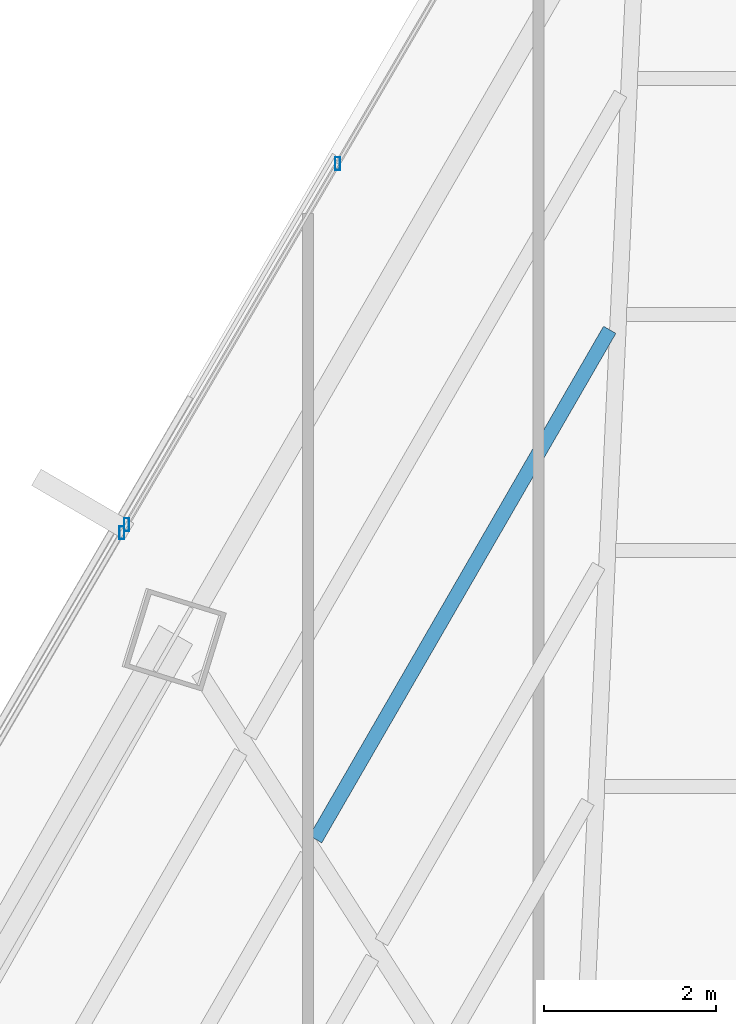
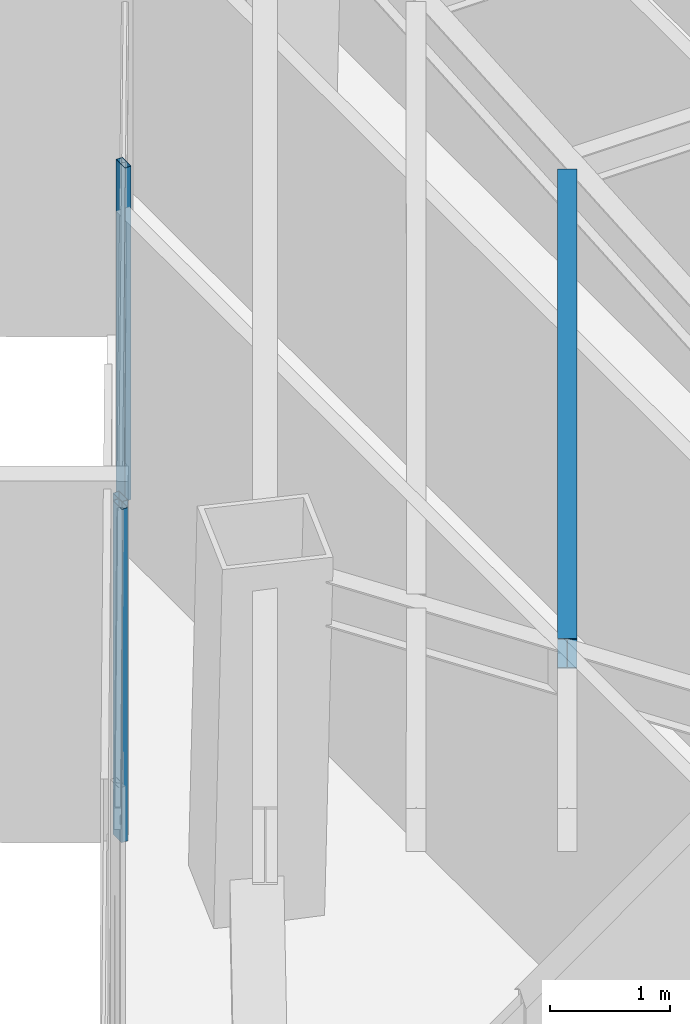
# One storey, part 26 of 42: 3 members, 1 beam, 2 elements without a shape of their own.
"""IFC4 building model written with IfcOpenShell, lengths in metres."""

from ifc_helpers import new_model, si_unit, direction, frame, origin, origin_2d, place, context, subcontext, project, spatial, hollow_rectangle, i_section, extrude, source, transform, mapped, material, material_profile, profile_set, type_object, type_shapes, element, aggregate, save


model = new_model("IFC4")

# Units and contexts
model_context = context("Model", 3, precision=1e-05, world=origin(), true_north=direction((0.0, 1.0)))
body_context = subcontext(model_context, "Body", "Model", "MODEL_VIEW")
ifc_project = project(units=[si_unit("LENGTHUNIT", "METRE"), si_unit("AREAUNIT", "SQUARE_METRE"), si_unit("VOLUMEUNIT", "CUBIC_METRE"), si_unit("PLANEANGLEUNIT", "RADIAN"), si_unit("MASSUNIT", "GRAM", prefix="KILO")], contexts=[model_context])

# Site, building, storey
site_placement = place(None, origin())
site = spatial("IfcSite", under=ifc_project, at=site_placement, CompositionType="ELEMENT")
building_placement = place(site_placement, origin())
building = spatial("IfcBuilding", under=site, at=building_placement, Name="Caelisora Broadcast Tower", CompositionType="ELEMENT")
storey_placement = place(building_placement, frame((0.0, 0.0, 131.800048828125)))
storey = spatial("IfcBuildingStorey", under=building, at=storey_placement, Name="L34", CompositionType="ELEMENT", Elevation=131.800048828125)

# Beam
ifc_material_1 = material(Name="Steel Grade 350 (AS/NZS 3679.1)", Category="steel")
ifc_material_profile_1 = material_profile(ifc_material_1, i_section(OverallWidth=0.166015625, OverallDepth=0.30712890625, WebThickness=0.006591796875, FlangeThickness=0.01171875, at=origin_2d()), Name="Steel Grade 350 (AS/NZS 3679.1)")
ifc_profile_set_1 = profile_set([ifc_material_profile_1], Name="Steel Grade 350 (AS/NZS 3679.1)")
beam_type = type_object("IfcBeamType", Name="SB03", PredefinedType="JOIST", material=ifc_profile_set_1)
shared_shape_1 = source(origin(), body_context, "Body", "SweptSolid", [
    extrude(i_section(OverallWidth=0.166015625, OverallDepth=0.30712890625, WebThickness=0.006591796875, FlangeThickness=0.01171875, at=origin_2d()), origin(), (0.0, 0.0, 1.0), 6.83935546875),
])
type_shapes(beam_type, [shared_shape_1])
beam_placement = place(storey_placement, frame((30.907470703125, 40.797119140625, 3.246337890625), z_axis=(-0.499997459831, -0.866026870347, 0.0), x_axis=(0.866026870347, -0.499997459831, 0.0)))
element("IfcBeam", 1, at=beam_placement, inside=storey, type_object=beam_type, Name="L34 beam SB03", PredefinedType="JOIST", context=body_context, shape_type="MappedRepresentation", body=[
    mapped(shared_shape_1, transform((0.0, 0.0, 0.0), scale=1.0)),
])

# Curtain wall, member
ifc_material_2 = material(Name="Unitised Aluminium Insulated Shadow-Box Spandrel Curtain Wall", Category="aluminium")
curtain_wall_type_1 = type_object("IfcCurtainWallType", Name="CW-SP2", PredefinedType="NOTDEFINED", material=ifc_material_2)
curtain_wall_1_placement = place(storey_placement, origin())
curtain_wall_1 = element("IfcCurtainWall", 2, at=curtain_wall_1_placement, inside=storey, type_object=curtain_wall_type_1, Name="L34 curtain wall CW-SP2", PredefinedType="NOTDEFINED")
ifc_material_3 = material(Name="Aluminium 6063-T6 Anodised Terracotta Bronze", Category="aluminium")
ifc_material_profile_2 = material_profile(ifc_material_3, hollow_rectangle(XDim=0.06005859375, YDim=0.14990234375, WallThickness=0.00341796875, at=origin_2d()), Name="Aluminium 6063-T6 Anodised Terracotta Bronze")
ifc_profile_set_2 = profile_set([ifc_material_profile_2], Name="Aluminium 6063-T6 Anodised Terracotta Bronze")
member_type = type_object("IfcMemberType", Name="CWM-03", PredefinedType="MULLION", material=ifc_profile_set_2)
shared_shape_2 = source(origin(), body_context, "Body", "SweptSolid", [
    extrude(hollow_rectangle(XDim=0.06005859375, YDim=0.14990234375, WallThickness=0.00341796875, at=origin_2d()), origin(), (0.0, 0.0, 1.0), 3.39990234375),
])
type_shapes(member_type, [shared_shape_2])
member_1_placement = place(storey_placement, frame((25.236083984375, 38.4375, 0.0), z_axis=(0.0, 0.0, 1.0), x_axis=(1.0, 0.0, 0.0)))
member_1 = element("IfcMember", 3, at=member_1_placement, type_object=member_type, Name="L34-CW-B10 mullion #3", PredefinedType="MULLION", context=body_context, shape_type="MappedRepresentation", body=[
    mapped(shared_shape_2, transform((0.0, 0.0, 0.0), scale=1.0)),
])
aggregate(curtain_wall_1, [member_1])

# Curtain wall, members
ifc_material_4 = material(Name="Unitised Aluminium and Low-E Glass Curtain Wall", Category="glass")
curtain_wall_type_2 = type_object("IfcCurtainWallType", Name="CW-Z3", PredefinedType="NOTDEFINED", material=ifc_material_4)
curtain_wall_2_placement = place(storey_placement, origin())
curtain_wall_2 = element("IfcCurtainWall", 4, at=curtain_wall_2_placement, inside=storey, type_object=curtain_wall_type_2, Name="L34 curtain wall CW-Z3", PredefinedType="NOTDEFINED")
member_2_placement = place(storey_placement, frame((25.29150390625, 38.532470703125, 0.0), z_axis=(0.0, 0.0, 1.0), x_axis=(1.0, 0.0, 0.0)))
member_2 = element("IfcMember", 5, at=member_2_placement, type_object=member_type, Name="L34-CW-B11 mullion #0", PredefinedType="MULLION", context=body_context, shape_type="MappedRepresentation", body=[
    mapped(shared_shape_2, transform((0.0, 0.0, 0.0), scale=1.0)),
])
member_3_placement = place(storey_placement, frame((27.744140625, 42.7294921875, 0.0), z_axis=(0.0, 0.0, 1.0), x_axis=(1.0, 0.0, 0.0)))
member_3 = element("IfcMember", 6, at=member_3_placement, type_object=member_type, Name="L34-CW-B11 mullion #1", PredefinedType="MULLION", context=body_context, shape_type="MappedRepresentation", body=[
    mapped(shared_shape_2, transform((0.0, 0.0, 0.0), scale=1.0)),
])
aggregate(curtain_wall_2, [member_2, member_3])

save(model, "model.ifc")
